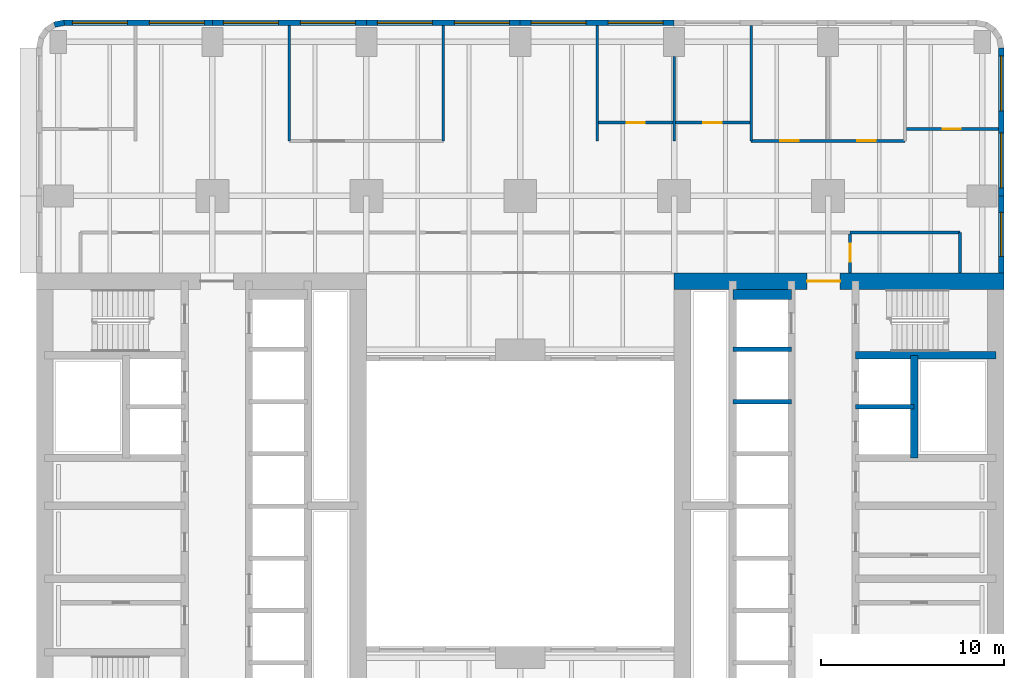
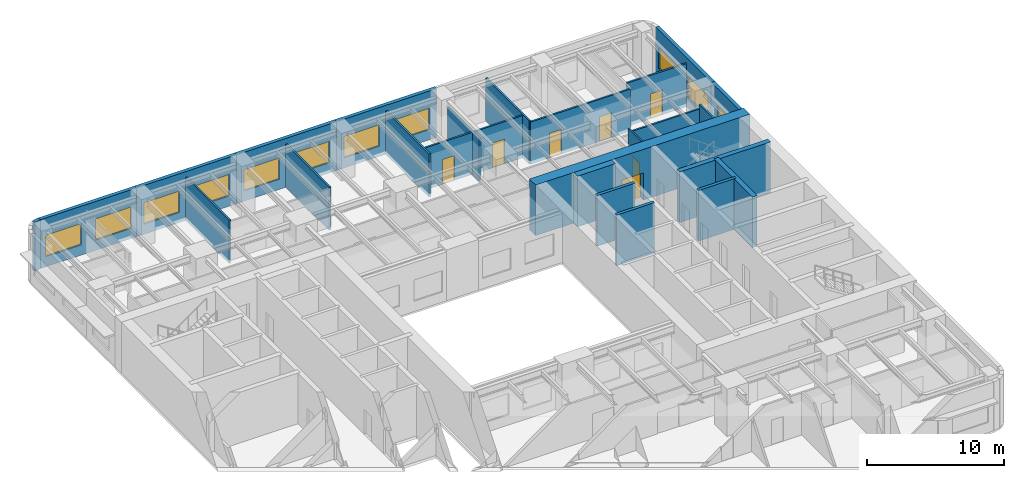
# One storey, part 7 of 14: 26 walls, 11 windows, 7 doors, 18 openings.
"""IFC4 building model written with IfcOpenShell, lengths in metres."""

from ifc_helpers import new_model, si_unit, direction, frame, frame_2d, origin, place, context, subcontext, project, spatial, rectangle, extrude, material, layer, layer_set, type_object, element, fill, save


model = new_model("IFC4")

# Units and contexts
model_context = context("Model", 3, precision=1e-05, world=origin(), true_north=direction((0.0, 1.0)))
body_context = subcontext(model_context, "Body", "Model", "MODEL_VIEW")
ifc_project = project(units=[si_unit("LENGTHUNIT", "METRE"), si_unit("AREAUNIT", "SQUARE_METRE"), si_unit("VOLUMEUNIT", "CUBIC_METRE"), si_unit("PLANEANGLEUNIT", "RADIAN"), si_unit("MASSUNIT", "GRAM", prefix="KILO")], contexts=[model_context])

# Site, building, storey
site_placement = place(None, origin())
site = spatial("IfcSite", under=ifc_project, at=site_placement, CompositionType="ELEMENT")
building_placement = place(site_placement, origin())
building = spatial("IfcBuilding", under=site, at=building_placement, Name="Claustro Exchange Tower", CompositionType="ELEMENT")
storey_placement = place(building_placement, frame((0.0, 0.0, 36.89990234375)))
storey = spatial("IfcBuildingStorey", under=building, at=storey_placement, Name="L08", CompositionType="ELEMENT", Elevation=36.89990234375)

# Walls
ifc_material_1 = material(Name="Gypsum board on steel studs", Category="steel")
ifc_layer_1 = layer(ifc_material_1, 0.14990234375)
ifc_layer_set_1 = layer_set([ifc_layer_1], Name="Gypsum board on steel studs")
wall_type_1 = type_object("IfcWallType", Name="P1 150 plasterboard partition", PredefinedType="PARTITIONING", material=ifc_layer_set_1)
for number, where, z_axis, x_axis, name in (
    (1, (12.60009765625, 45.0, 0.0), (0.0, 0.0, 1.0), (0.0, 1.0, 0.0), "Partition P1 L08"),
    (2, (21.0, 45.0, 0.0), (0.0, 0.0, 1.0), (0.0, 1.0, 0.0), "Partition P1 L08"),
):
    element("IfcWall", number, at=place(storey_placement, frame(where, z_axis=z_axis, x_axis=x_axis)), inside=storey, type_object=wall_type_1, Name=name, PredefinedType="PARTITIONING", context=body_context, shape_type="SweptSolid", body=[
        extrude(rectangle(XDim=6.302001953125, YDim=0.14990234375, at=frame_2d((3.15087890625, 0.0))), origin(), (0.0, 0.0, 1.0), 3.840087890625),
    ])

# Wall, opening, door
wall_1_placement = place(storey_placement, frame((29.47412109375, 46.0, 0.0), z_axis=(0.0, 0.0, 1.0), x_axis=(1.0, 0.0, 0.0)))
wall_1 = element("IfcWall", 3, at=wall_1_placement, inside=storey, type_object=wall_type_1, Name="Partition P1 L08", PredefinedType="PARTITIONING", context=body_context, shape_type="SweptSolid", body=[
    extrude(rectangle(XDim=4.0517578125, YDim=0.14990234375, at=frame_2d((2.02587890625, 0.0))), origin(), (0.0, 0.0, 1.0), 3.739990234375),
])
opening_1_placement = place(wall_1_placement, frame((1.52587890625, 0.0, 0.0)))
opening_1 = element("IfcOpeningElement", 4, at=opening_1_placement, cuts=wall_1, Name="Opening D1", PredefinedType="OPENING", context=body_context, shape_type="SweptSolid", body=[
    extrude(rectangle(XDim=1.0, YDim=2.199951171875, at=frame_2d((0.5, 1.10009765625))), frame((0.0, 0.0849609375, 0.0), z_axis=(0.0, -1.0, 0.0), x_axis=(1.0, 0.0, 0.0)), (0.0, 0.0, 1.0), 0.169921875),
])
ifc_material_2 = material(Name="Timber door, oak veneer", Category="wood")
door_type_1 = type_object("IfcDoorType", Name="D1 1000 x 2200 single door", OperationType="SINGLE_SWING_LEFT", PredefinedType="DOOR", material=ifc_material_2)
door_1_placement = place(opening_1_placement, origin())
door_1 = element("IfcDoor", 5, at=door_1_placement, inside=storey, type_object=door_type_1, Name="Door D1 L08", OperationType="SINGLE_SWING_RIGHT", OverallHeight=2.199951171875, OverallWidth=1.0, PredefinedType="DOOR", context=body_context, shape_type="SweptSolid", body=[
    extrude(rectangle(XDim=1.0, YDim=2.199951171875, at=frame_2d((0.5, 1.10009765625))), frame((0.0, 0.02490234375, 0.0), z_axis=(0.0, -1.0, 0.0), x_axis=(1.0, 0.0, 0.0)), (0.0, 0.0, 1.0), 0.050048828125),
])
fill(opening_1, door_1)

wall_2_placement = place(storey_placement, frame((33.674072265625, 46.0, 0.0), z_axis=(0.0, 0.0, 1.0), x_axis=(1.0, 0.0, 0.0)))
wall_2 = element("IfcWall", 6, at=wall_2_placement, inside=storey, type_object=wall_type_1, Name="Partition P1 L08", PredefinedType="PARTITIONING", context=body_context, shape_type="SweptSolid", body=[
    extrude(rectangle(XDim=4.052001953125, YDim=0.14990234375, at=frame_2d((2.02587890625, 0.0))), origin(), (0.0, 0.0, 1.0), 3.739990234375),
])
opening_2_placement = place(wall_2_placement, frame((1.52587890625, 0.0, 0.0)))
opening_2 = element("IfcOpeningElement", 7, at=opening_2_placement, cuts=wall_2, Name="Opening D1", PredefinedType="OPENING", context=body_context, shape_type="SweptSolid", body=[
    extrude(rectangle(XDim=1.0, YDim=2.199951171875, at=frame_2d((0.5, 1.10009765625))), frame((0.0, 0.0849609375, 0.0), z_axis=(0.0, -1.0, 0.0), x_axis=(1.0, 0.0, 0.0)), (0.0, 0.0, 1.0), 0.169921875),
])
door_2_placement = place(opening_2_placement, origin())
door_2 = element("IfcDoor", 8, at=door_2_placement, inside=storey, type_object=door_type_1, Name="Door D1 L08", OperationType="SINGLE_SWING_RIGHT", OverallHeight=2.199951171875, OverallWidth=1.0, PredefinedType="DOOR", context=body_context, shape_type="SweptSolid", body=[
    extrude(rectangle(XDim=1.0, YDim=2.199951171875, at=frame_2d((0.5, 1.10009765625))), frame((0.0, 0.02490234375, 0.0), z_axis=(0.0, -1.0, 0.0), x_axis=(1.0, 0.0, 0.0)), (0.0, 0.0, 1.0), 0.050048828125),
])
fill(opening_2, door_2)

wall_3_placement = place(storey_placement, frame((46.27392578125, 45.64990234375, 0.0), z_axis=(0.0, 0.0, 1.0), x_axis=(1.0, 0.0, 0.0)))
wall_3 = element("IfcWall", 9, at=wall_3_placement, inside=storey, type_object=wall_type_1, Name="Partition P1 L08", PredefinedType="PARTITIONING", context=body_context, shape_type="SweptSolid", body=[
    extrude(rectangle(XDim=5.028076171875, YDim=0.14990234375, at=frame_2d((2.51416015625, 0.0))), origin(), (0.0, 0.0, 1.0), 3.840087890625),
])
opening_3_placement = place(wall_3_placement, frame((1.97607421875, 0.0, 0.0)))
opening_3 = element("IfcOpeningElement", 10, at=opening_3_placement, cuts=wall_3, Name="Opening D1", PredefinedType="OPENING", context=body_context, shape_type="SweptSolid", body=[
    extrude(rectangle(XDim=1.0, YDim=2.199951171875, at=frame_2d((0.5, 1.10009765625))), frame((0.0, 0.0849609375, 0.0), z_axis=(0.0, -1.0, 0.0), x_axis=(1.0, 0.0, 0.0)), (0.0, 0.0, 1.0), 0.169921875),
])
door_3_placement = place(opening_3_placement, origin())
door_3 = element("IfcDoor", 11, at=door_3_placement, inside=storey, type_object=door_type_1, Name="Door D1 L08", OperationType="SINGLE_SWING_LEFT", OverallHeight=2.199951171875, OverallWidth=1.0, PredefinedType="DOOR", context=body_context, shape_type="SweptSolid", body=[
    extrude(rectangle(XDim=1.0, YDim=2.199951171875, at=frame_2d((0.5, 1.10009765625))), frame((0.0, 0.02490234375, 0.0), z_axis=(0.0, -1.0, 0.0), x_axis=(1.0, 0.0, 0.0)), (0.0, 0.0, 1.0), 0.050048828125),
])
fill(opening_3, door_3)

# Wall, openings, doors
wall_4_placement = place(storey_placement, frame((37.800048828125, 45.0, 0.0), z_axis=(0.0, 0.0, 1.0), x_axis=(1.0, 0.0, 0.0)))
wall_4 = element("IfcWall", 12, at=wall_4_placement, inside=storey, type_object=wall_type_1, Name="Partition P1 L08", PredefinedType="PARTITIONING", context=body_context, shape_type="SweptSolid", body=[
    extrude(rectangle(XDim=8.39990234375, YDim=0.14990234375, at=frame_2d((4.199951171875, 0.0))), origin(), (0.0, 0.0, 1.0), 3.739990234375),
])
opening_4_placement = place(wall_4_placement, frame((1.60009765625, 0.0, 0.0)))
opening_4 = element("IfcOpeningElement", 13, at=opening_4_placement, cuts=wall_4, Name="Opening D1", PredefinedType="OPENING", context=body_context, shape_type="SweptSolid", body=[
    extrude(rectangle(XDim=1.0, YDim=2.199951171875, at=frame_2d((0.5, 1.10009765625))), frame((0.0, 0.0849609375, 0.0), z_axis=(0.0, -1.0, 0.0), x_axis=(1.0, 0.0, 0.0)), (0.0, 0.0, 1.0), 0.169921875),
])
opening_5_placement = place(wall_4_placement, frame((5.800048828125, 0.0, 0.0)))
opening_5 = element("IfcOpeningElement", 14, at=opening_5_placement, cuts=wall_4, Name="Opening D1", PredefinedType="OPENING", context=body_context, shape_type="SweptSolid", body=[
    extrude(rectangle(XDim=1.0, YDim=2.199951171875, at=frame_2d((0.5, 1.10009765625))), frame((0.0, 0.0849609375, 0.0), z_axis=(0.0, -1.0, 0.0), x_axis=(1.0, 0.0, 0.0)), (0.0, 0.0, 1.0), 0.169921875),
])
door_4_placement = place(opening_4_placement, origin())
door_4 = element("IfcDoor", 15, at=door_4_placement, inside=storey, type_object=door_type_1, Name="Door D1 L08", OperationType="SINGLE_SWING_LEFT", OverallHeight=2.199951171875, OverallWidth=1.0, PredefinedType="DOOR", context=body_context, shape_type="SweptSolid", body=[
    extrude(rectangle(XDim=1.0, YDim=2.199951171875, at=frame_2d((0.5, 1.10009765625))), frame((0.0, 0.02490234375, 0.0), z_axis=(0.0, -1.0, 0.0), x_axis=(1.0, 0.0, 0.0)), (0.0, 0.0, 1.0), 0.050048828125),
])
fill(opening_4, door_4)
door_5_placement = place(opening_5_placement, origin())
door_5 = element("IfcDoor", 16, at=door_5_placement, inside=storey, type_object=door_type_1, Name="Door D1 L08", OperationType="SINGLE_SWING_LEFT", OverallHeight=2.199951171875, OverallWidth=1.0, PredefinedType="DOOR", context=body_context, shape_type="SweptSolid", body=[
    extrude(rectangle(XDim=1.0, YDim=2.199951171875, at=frame_2d((0.5, 1.10009765625))), frame((0.0, 0.02490234375, 0.0), z_axis=(0.0, -1.0, 0.0), x_axis=(1.0, 0.0, 0.0)), (0.0, 0.0, 1.0), 0.050048828125),
])
fill(opening_5, door_5)

# Walls
wall_5_placement = place(storey_placement, frame((29.39990234375, 45.0, 0.0), z_axis=(0.0, 0.0, 1.0), x_axis=(0.0, 1.0, 0.0)))
element("IfcWall", 17, at=wall_5_placement, inside=storey, type_object=wall_type_1, Name="Partition P1 L08", PredefinedType="PARTITIONING", context=body_context, shape_type="SweptSolid", body=[
    extrude(rectangle(XDim=6.302001953125, YDim=0.14990234375, at=frame_2d((3.15087890625, 0.0))), origin(), (0.0, 0.0, 1.0), 3.840087890625),
])
wall_6_placement = place(storey_placement, frame((33.60009765625, 45.0, 0.0), z_axis=(0.0, 0.0, 1.0), x_axis=(0.0, 1.0, 0.0)))
element("IfcWall", 18, at=wall_6_placement, inside=storey, type_object=wall_type_1, Name="Partition P1 L08", PredefinedType="PARTITIONING", context=body_context, shape_type="SweptSolid", body=[
    extrude(rectangle(XDim=4.60107421875, YDim=0.14990234375, at=frame_2d((2.300537109375, 0.0))), origin(), (0.0, 0.0, 1.0), 3.739990234375),
])
wall_7_placement = place(storey_placement, frame((37.800048828125, 45.0, 0.0), z_axis=(0.0, 0.0, 1.0), x_axis=(0.0, 1.0, 0.0)))
element("IfcWall", 19, at=wall_7_placement, inside=storey, type_object=wall_type_1, Name="Partition P1 L08", PredefinedType="PARTITIONING", context=body_context, shape_type="SweptSolid", body=[
    extrude(rectangle(XDim=6.302001953125, YDim=0.14990234375, at=frame_2d((3.15087890625, 0.0))), origin(), (0.0, 0.0, 1.0), 3.840087890625),
])

# Wall, opening, door
wall_8_placement = place(storey_placement, frame((43.199951171875, 37.800048828125, 0.0), z_axis=(0.0, 0.0, 1.0), x_axis=(0.0, 1.0, 0.0)))
wall_8 = element("IfcWall", 20, at=wall_8_placement, inside=storey, type_object=wall_type_1, Name="Partition P1 L08", PredefinedType="PARTITIONING", context=body_context, shape_type="SweptSolid", body=[
    extrude(rectangle(XDim=2.1259765625, YDim=0.14990234375, at=frame_2d((1.06298828125, 0.0))), origin(), (0.0, 0.0, 1.0), 4.340087890625),
])
opening_6_placement = place(wall_8_placement, frame((0.60009765625, 0.0, 0.0)))
opening_6 = element("IfcOpeningElement", 21, at=opening_6_placement, cuts=wall_8, Name="Opening D1", PredefinedType="OPENING", context=body_context, shape_type="SweptSolid", body=[
    extrude(rectangle(XDim=1.0, YDim=2.199951171875, at=frame_2d((0.5, 1.10009765625))), frame((0.0, 0.0849609375, 0.0), z_axis=(0.0, -1.0, 0.0), x_axis=(1.0, 0.0, 0.0)), (0.0, 0.0, 1.0), 0.169921875),
])
door_6_placement = place(opening_6_placement, frame((1.0, 0.0, 0.0), z_axis=(0.0, 0.0, 1.0), x_axis=(-1.0, 0.0, 0.0)))
door_6 = element("IfcDoor", 22, at=door_6_placement, inside=storey, type_object=door_type_1, Name="Door D1 L08", OperationType="SINGLE_SWING_RIGHT", OverallHeight=2.199951171875, OverallWidth=1.0, PredefinedType="DOOR", context=body_context, shape_type="SweptSolid", body=[
    extrude(rectangle(XDim=1.0, YDim=2.199951171875, at=frame_2d((0.5, 1.10009765625))), frame((0.0, 0.02490234375, 0.0), z_axis=(0.0, -1.0, 0.0), x_axis=(1.0, 0.0, 0.0)), (0.0, 0.0, 1.0), 0.050048828125),
])
fill(opening_6, door_6)

# Walls
wall_9_placement = place(storey_placement, frame((43.197998046875, 40.0, 0.0), z_axis=(0.0, 0.0, 1.0), x_axis=(1.0, 0.0, 0.0)))
element("IfcWall", 23, at=wall_9_placement, inside=storey, type_object=wall_type_1, Name="Partition P1 L08", PredefinedType="PARTITIONING", context=body_context, shape_type="SweptSolid", body=[
    extrude(rectangle(XDim=6.001953125, YDim=0.14990234375, at=frame_2d((3.0009765625, 0.0))), origin(), (0.0, 0.0, 1.0), 3.97998046875),
])
wall_10_placement = place(storey_placement, frame((49.199951171875, 37.800048828125, 0.0), z_axis=(0.0, 0.0, 1.0), x_axis=(0.0, 1.0, 0.0)))
element("IfcWall", 24, at=wall_10_placement, inside=storey, type_object=wall_type_1, Name="Partition P1 L08", PredefinedType="PARTITIONING", context=body_context, shape_type="SweptSolid", body=[
    extrude(rectangle(XDim=2.199951171875, YDim=0.14990234375, at=frame_2d((1.10009765625, 0.0))), origin(), (0.0, 0.0, 1.0), 4.340087890625),
])
ifc_material_3 = material(Name="Concrete HA-40 (C40/50), precast, white cement, acid-etched", Category="concrete")
ifc_layer_2 = layer(ifc_material_3, 0.300048828125)
ifc_layer_set_2 = layer_set([ifc_layer_2], Name="Concrete HA-40 (C40/50), precast, white cement, acid-etched")
wall_type_2 = type_object("IfcWallType", Name="PC1 300 precast concrete pier panel", PredefinedType="SOLIDWALL", material=ifc_layer_set_2)
wall_11_placement = place(storey_placement, frame((-0.215576171875, 51.344482421875, 0.0), z_axis=(0.0, 0.0, 1.0), x_axis=(0.980788534345, 0.195073962632, 0.0)))
element("IfcWall", 25, at=wall_11_placement, inside=storey, type_object=wall_type_2, Name="Precast pier panel PC1 L08", PredefinedType="SOLIDWALL", context=body_context, shape_type="SweptSolid", body=[
    extrude(rectangle(XDim=0.540771484375, YDim=0.300048828125, at=frame_2d((0.2705078125, 0.0))), origin(), (0.0, 0.0, 1.0), 4.340087890625),
])

# Wall, openings, windows
wall_12_placement = place(storey_placement, frame((0.314697265625, 51.449951171875, 0.0), z_axis=(0.0, 0.0, 1.0), x_axis=(1.0, 0.0, 0.0)))
wall_12 = element("IfcWall", 26, at=wall_12_placement, inside=storey, type_object=wall_type_2, Name="Precast pier panel PC1 L08", PredefinedType="SOLIDWALL", context=body_context, shape_type="SweptSolid", body=[
    extrude(rectangle(XDim=8.085205078125, YDim=0.300048828125, at=frame_2d((4.04248046875, 0.0))), origin(), (0.0, 0.0, 1.0), 4.340087890625),
])
opening_7_placement = place(wall_12_placement, frame((0.442626953125, 0.0, 0.89990234375)))
opening_7 = element("IfcOpeningElement", 27, at=opening_7_placement, cuts=wall_12, Name="Opening W1", PredefinedType="OPENING", context=body_context, shape_type="SweptSolid", body=[
    extrude(rectangle(XDim=3.0, YDim=1.89990234375, at=frame_2d((1.5, 0.949951171875))), frame((0.0, 0.159912109375, 0.0), z_axis=(0.0, -1.0, 0.0), x_axis=(1.0, 0.0, 0.0)), (0.0, 0.0, 1.0), 0.320068359375),
])
opening_8_placement = place(wall_12_placement, frame((4.642578125, 0.0, 0.89990234375)))
opening_8 = element("IfcOpeningElement", 28, at=opening_8_placement, cuts=wall_12, Name="Opening W1", PredefinedType="OPENING", context=body_context, shape_type="SweptSolid", body=[
    extrude(rectangle(XDim=3.0, YDim=1.89990234375, at=frame_2d((1.5, 0.949951171875))), frame((0.0, 0.159912109375, 0.0), z_axis=(0.0, -1.0, 0.0), x_axis=(1.0, 0.0, 0.0)), (0.0, 0.0, 1.0), 0.320068359375),
])
ifc_material_4 = material(Name="Aluminium frame, clear double glazing", Category="aluminium")
window_type_1 = type_object("IfcWindowType", Name="W1 3000 x 1900 window", PartitioningType="SINGLE_PANEL", PredefinedType="WINDOW", material=ifc_material_4)
window_1_placement = place(opening_7_placement, origin())
window_1 = element("IfcWindow", 29, at=window_1_placement, inside=storey, type_object=window_type_1, Name="Window W1 L08", OverallHeight=1.89990234375, OverallWidth=3.0, PartitioningType="SINGLE_PANEL", PredefinedType="WINDOW", context=body_context, shape_type="SweptSolid", body=[
    extrude(rectangle(XDim=3.0, YDim=1.89990234375, at=frame_2d((1.5, 0.949951171875))), frame((0.0, 0.030029296875, 0.0), z_axis=(0.0, -1.0, 0.0), x_axis=(1.0, 0.0, 0.0)), (0.0, 0.0, 1.0), 0.06005859375),
])
fill(opening_7, window_1)
window_2_placement = place(opening_8_placement, origin())
window_2 = element("IfcWindow", 30, at=window_2_placement, inside=storey, type_object=window_type_1, Name="Window W1 L08", OverallHeight=1.89990234375, OverallWidth=3.0, PartitioningType="SINGLE_PANEL", PredefinedType="WINDOW", context=body_context, shape_type="SweptSolid", body=[
    extrude(rectangle(XDim=3.0, YDim=1.89990234375, at=frame_2d((1.5, 0.949951171875))), frame((0.0, 0.030029296875, 0.0), z_axis=(0.0, -1.0, 0.0), x_axis=(1.0, 0.0, 0.0)), (0.0, 0.0, 1.0), 0.06005859375),
])
fill(opening_8, window_2)

wall_13_placement = place(storey_placement, frame((8.39990234375, 51.449951171875, 0.0), z_axis=(0.0, 0.0, 1.0), x_axis=(1.0, 0.0, 0.0)))
wall_13 = element("IfcWall", 31, at=wall_13_placement, inside=storey, type_object=wall_type_2, Name="Precast pier panel PC1 L08", PredefinedType="SOLIDWALL", context=body_context, shape_type="SweptSolid", body=[
    extrude(rectangle(XDim=8.400146484375, YDim=0.300048828125, at=frame_2d((4.2001953125, 0.0))), origin(), (0.0, 0.0, 1.0), 4.340087890625),
])
opening_9_placement = place(wall_13_placement, frame((0.60009765625, 0.0, 0.89990234375)))
opening_9 = element("IfcOpeningElement", 32, at=opening_9_placement, cuts=wall_13, Name="Opening W1", PredefinedType="OPENING", context=body_context, shape_type="SweptSolid", body=[
    extrude(rectangle(XDim=3.0, YDim=1.89990234375, at=frame_2d((1.5, 0.949951171875))), frame((0.0, 0.159912109375, 0.0), z_axis=(0.0, -1.0, 0.0), x_axis=(1.0, 0.0, 0.0)), (0.0, 0.0, 1.0), 0.320068359375),
])
opening_10_placement = place(wall_13_placement, frame((4.800048828125, 0.0, 0.89990234375)))
opening_10 = element("IfcOpeningElement", 33, at=opening_10_placement, cuts=wall_13, Name="Opening W1", PredefinedType="OPENING", context=body_context, shape_type="SweptSolid", body=[
    extrude(rectangle(XDim=3.0, YDim=1.89990234375, at=frame_2d((1.5, 0.949951171875))), frame((0.0, 0.159912109375, 0.0), z_axis=(0.0, -1.0, 0.0), x_axis=(1.0, 0.0, 0.0)), (0.0, 0.0, 1.0), 0.320068359375),
])
window_3_placement = place(opening_9_placement, origin())
window_3 = element("IfcWindow", 34, at=window_3_placement, inside=storey, type_object=window_type_1, Name="Window W1 L08", OverallHeight=1.89990234375, OverallWidth=3.0, PartitioningType="SINGLE_PANEL", PredefinedType="WINDOW", context=body_context, shape_type="SweptSolid", body=[
    extrude(rectangle(XDim=3.0, YDim=1.89990234375, at=frame_2d((1.5, 0.949951171875))), frame((0.0, 0.030029296875, 0.0), z_axis=(0.0, -1.0, 0.0), x_axis=(1.0, 0.0, 0.0)), (0.0, 0.0, 1.0), 0.06005859375),
])
fill(opening_9, window_3)
window_4_placement = place(opening_10_placement, origin())
window_4 = element("IfcWindow", 35, at=window_4_placement, inside=storey, type_object=window_type_1, Name="Window W1 L08", OverallHeight=1.89990234375, OverallWidth=3.0, PartitioningType="SINGLE_PANEL", PredefinedType="WINDOW", context=body_context, shape_type="SweptSolid", body=[
    extrude(rectangle(XDim=3.0, YDim=1.89990234375, at=frame_2d((1.5, 0.949951171875))), frame((0.0, 0.030029296875, 0.0), z_axis=(0.0, -1.0, 0.0), x_axis=(1.0, 0.0, 0.0)), (0.0, 0.0, 1.0), 0.06005859375),
])
fill(opening_10, window_4)

wall_14_placement = place(storey_placement, frame((16.800048828125, 51.449951171875, 0.0), z_axis=(0.0, 0.0, 1.0), x_axis=(1.0, 0.0, 0.0)))
wall_14 = element("IfcWall", 36, at=wall_14_placement, inside=storey, type_object=wall_type_2, Name="Precast pier panel PC1 L08", PredefinedType="SOLIDWALL", context=body_context, shape_type="SweptSolid", body=[
    extrude(rectangle(XDim=8.39990234375, YDim=0.300048828125, at=frame_2d((4.199951171875, 0.0))), origin(), (0.0, 0.0, 1.0), 4.340087890625),
])
opening_11_placement = place(wall_14_placement, frame((0.60009765625, 0.0, 0.89990234375)))
opening_11 = element("IfcOpeningElement", 37, at=opening_11_placement, cuts=wall_14, Name="Opening W1", PredefinedType="OPENING", context=body_context, shape_type="SweptSolid", body=[
    extrude(rectangle(XDim=3.0, YDim=1.89990234375, at=frame_2d((1.5, 0.949951171875))), frame((0.0, 0.159912109375, 0.0), z_axis=(0.0, -1.0, 0.0), x_axis=(1.0, 0.0, 0.0)), (0.0, 0.0, 1.0), 0.320068359375),
])
opening_12_placement = place(wall_14_placement, frame((4.800048828125, 0.0, 0.89990234375)))
opening_12 = element("IfcOpeningElement", 38, at=opening_12_placement, cuts=wall_14, Name="Opening W1", PredefinedType="OPENING", context=body_context, shape_type="SweptSolid", body=[
    extrude(rectangle(XDim=3.0, YDim=1.89990234375, at=frame_2d((1.5, 0.949951171875))), frame((0.0, 0.159912109375, 0.0), z_axis=(0.0, -1.0, 0.0), x_axis=(1.0, 0.0, 0.0)), (0.0, 0.0, 1.0), 0.320068359375),
])
window_5_placement = place(opening_11_placement, origin())
window_5 = element("IfcWindow", 39, at=window_5_placement, inside=storey, type_object=window_type_1, Name="Window W1 L08", OverallHeight=1.89990234375, OverallWidth=3.0, PartitioningType="SINGLE_PANEL", PredefinedType="WINDOW", context=body_context, shape_type="SweptSolid", body=[
    extrude(rectangle(XDim=3.0, YDim=1.89990234375, at=frame_2d((1.5, 0.949951171875))), frame((0.0, 0.030029296875, 0.0), z_axis=(0.0, -1.0, 0.0), x_axis=(1.0, 0.0, 0.0)), (0.0, 0.0, 1.0), 0.06005859375),
])
fill(opening_11, window_5)
window_6_placement = place(opening_12_placement, origin())
window_6 = element("IfcWindow", 40, at=window_6_placement, inside=storey, type_object=window_type_1, Name="Window W1 L08", OverallHeight=1.89990234375, OverallWidth=3.0, PartitioningType="SINGLE_PANEL", PredefinedType="WINDOW", context=body_context, shape_type="SweptSolid", body=[
    extrude(rectangle(XDim=3.0, YDim=1.89990234375, at=frame_2d((1.5, 0.949951171875))), frame((0.0, 0.030029296875, 0.0), z_axis=(0.0, -1.0, 0.0), x_axis=(1.0, 0.0, 0.0)), (0.0, 0.0, 1.0), 0.06005859375),
])
fill(opening_12, window_6)

wall_15_placement = place(storey_placement, frame((25.199951171875, 51.449951171875, 0.0), z_axis=(0.0, 0.0, 1.0), x_axis=(1.0, 0.0, 0.0)))
wall_15 = element("IfcWall", 41, at=wall_15_placement, inside=storey, type_object=wall_type_2, Name="Precast pier panel PC1 L08", PredefinedType="SOLIDWALL", context=body_context, shape_type="SweptSolid", body=[
    extrude(rectangle(XDim=8.400146484375, YDim=0.300048828125, at=frame_2d((4.2001953125, 0.0))), origin(), (0.0, 0.0, 1.0), 4.340087890625),
])
opening_13_placement = place(wall_15_placement, frame((0.60009765625, 0.0, 0.89990234375)))
opening_13 = element("IfcOpeningElement", 42, at=opening_13_placement, cuts=wall_15, Name="Opening W1", PredefinedType="OPENING", context=body_context, shape_type="SweptSolid", body=[
    extrude(rectangle(XDim=3.0, YDim=1.89990234375, at=frame_2d((1.5, 0.949951171875))), frame((0.0, 0.159912109375, 0.0), z_axis=(0.0, -1.0, 0.0), x_axis=(1.0, 0.0, 0.0)), (0.0, 0.0, 1.0), 0.320068359375),
])
opening_14_placement = place(wall_15_placement, frame((4.800048828125, 0.0, 0.89990234375)))
opening_14 = element("IfcOpeningElement", 43, at=opening_14_placement, cuts=wall_15, Name="Opening W1", PredefinedType="OPENING", context=body_context, shape_type="SweptSolid", body=[
    extrude(rectangle(XDim=3.0, YDim=1.89990234375, at=frame_2d((1.5, 0.949951171875))), frame((0.0, 0.159912109375, 0.0), z_axis=(0.0, -1.0, 0.0), x_axis=(1.0, 0.0, 0.0)), (0.0, 0.0, 1.0), 0.320068359375),
])
window_7_placement = place(opening_13_placement, origin())
window_7 = element("IfcWindow", 44, at=window_7_placement, inside=storey, type_object=window_type_1, Name="Window W1 L08", OverallHeight=1.89990234375, OverallWidth=3.0, PartitioningType="SINGLE_PANEL", PredefinedType="WINDOW", context=body_context, shape_type="SweptSolid", body=[
    extrude(rectangle(XDim=3.0, YDim=1.89990234375, at=frame_2d((1.5, 0.949951171875))), frame((0.0, 0.030029296875, 0.0), z_axis=(0.0, -1.0, 0.0), x_axis=(1.0, 0.0, 0.0)), (0.0, 0.0, 1.0), 0.06005859375),
])
fill(opening_13, window_7)
window_8_placement = place(opening_14_placement, origin())
window_8 = element("IfcWindow", 45, at=window_8_placement, inside=storey, type_object=window_type_1, Name="Window W1 L08", OverallHeight=1.89990234375, OverallWidth=3.0, PartitioningType="SINGLE_PANEL", PredefinedType="WINDOW", context=body_context, shape_type="SweptSolid", body=[
    extrude(rectangle(XDim=3.0, YDim=1.89990234375, at=frame_2d((1.5, 0.949951171875))), frame((0.0, 0.030029296875, 0.0), z_axis=(0.0, -1.0, 0.0), x_axis=(1.0, 0.0, 0.0)), (0.0, 0.0, 1.0), 0.06005859375),
])
fill(opening_14, window_8)

wall_16_placement = place(storey_placement, frame((51.449951171875, 50.085205078125, 0.0), z_axis=(0.0, 0.0, 1.0), x_axis=(0.0, -1.0, 0.0)))
wall_16 = element("IfcWall", 46, at=wall_16_placement, inside=storey, type_object=wall_type_2, Name="Precast pier panel PC1 L08", PredefinedType="SOLIDWALL", context=body_context, shape_type="SweptSolid", body=[
    extrude(rectangle(XDim=8.085205078125, YDim=0.300048828125, at=frame_2d((4.04248046875, 0.0))), origin(), (0.0, 0.0, 1.0), 4.340087890625),
])
opening_15_placement = place(wall_16_placement, frame((0.442626953125, 0.0, 0.89990234375)))
opening_15 = element("IfcOpeningElement", 47, at=opening_15_placement, cuts=wall_16, Name="Opening W1", PredefinedType="OPENING", context=body_context, shape_type="SweptSolid", body=[
    extrude(rectangle(XDim=3.0, YDim=1.89990234375, at=frame_2d((1.5, 0.949951171875))), frame((0.0, 0.159912109375, 0.0), z_axis=(0.0, -1.0, 0.0), x_axis=(1.0, 0.0, 0.0)), (0.0, 0.0, 1.0), 0.320068359375),
])
opening_16_placement = place(wall_16_placement, frame((4.642578125, 0.0, 0.89990234375)))
opening_16 = element("IfcOpeningElement", 48, at=opening_16_placement, cuts=wall_16, Name="Opening W1", PredefinedType="OPENING", context=body_context, shape_type="SweptSolid", body=[
    extrude(rectangle(XDim=3.0, YDim=1.89990234375, at=frame_2d((1.5, 0.949951171875))), frame((0.0, 0.159912109375, 0.0), z_axis=(0.0, -1.0, 0.0), x_axis=(1.0, 0.0, 0.0)), (0.0, 0.0, 1.0), 0.320068359375),
])
window_9_placement = place(opening_15_placement, origin())
window_9 = element("IfcWindow", 49, at=window_9_placement, inside=storey, type_object=window_type_1, Name="Window W1 L08", OverallHeight=1.89990234375, OverallWidth=3.0, PartitioningType="SINGLE_PANEL", PredefinedType="WINDOW", context=body_context, shape_type="SweptSolid", body=[
    extrude(rectangle(XDim=3.0, YDim=1.89990234375, at=frame_2d((1.5, 0.949951171875))), frame((0.0, 0.030029296875, 0.0), z_axis=(0.0, -1.0, 0.0), x_axis=(1.0, 0.0, 0.0)), (0.0, 0.0, 1.0), 0.06005859375),
])
fill(opening_15, window_9)
window_10_placement = place(opening_16_placement, origin())
window_10 = element("IfcWindow", 50, at=window_10_placement, inside=storey, type_object=window_type_1, Name="Window W1 L08", OverallHeight=1.89990234375, OverallWidth=3.0, PartitioningType="SINGLE_PANEL", PredefinedType="WINDOW", context=body_context, shape_type="SweptSolid", body=[
    extrude(rectangle(XDim=3.0, YDim=1.89990234375, at=frame_2d((1.5, 0.949951171875))), frame((0.0, 0.030029296875, 0.0), z_axis=(0.0, -1.0, 0.0), x_axis=(1.0, 0.0, 0.0)), (0.0, 0.0, 1.0), 0.06005859375),
])
fill(opening_16, window_10)

# Wall, opening, window
wall_17_placement = place(storey_placement, frame((51.449951171875, 42.0, 0.0), z_axis=(0.0, 0.0, 1.0), x_axis=(0.0, -1.0, 0.0)))
wall_17 = element("IfcWall", 51, at=wall_17_placement, inside=storey, type_object=wall_type_2, Name="Precast pier panel PC1 L08", PredefinedType="SOLIDWALL", context=body_context, shape_type="SweptSolid", body=[
    extrude(rectangle(XDim=4.199951171875, YDim=0.300048828125, at=frame_2d((2.10009765625, 0.0))), origin(), (0.0, 0.0, 1.0), 4.340087890625),
])
opening_17_placement = place(wall_17_placement, frame((0.89990234375, 0.0, 0.89990234375)))
opening_17 = element("IfcOpeningElement", 52, at=opening_17_placement, cuts=wall_17, Name="Opening W2", PredefinedType="OPENING", context=body_context, shape_type="SweptSolid", body=[
    extrude(rectangle(XDim=2.39990234375, YDim=1.89990234375, at=frame_2d((1.199951171875, 0.949951171875))), frame((0.0, 0.159912109375, 0.0), z_axis=(0.0, -1.0, 0.0), x_axis=(1.0, 0.0, 0.0)), (0.0, 0.0, 1.0), 0.320068359375),
])
ifc_material_5 = material(Name="Aluminium frame, clear double glazing", Category="aluminium")
window_type_2 = type_object("IfcWindowType", Name="W2 2400 x 1900 window", PartitioningType="SINGLE_PANEL", PredefinedType="WINDOW", material=ifc_material_5)
window_11_placement = place(opening_17_placement, origin())
window_11 = element("IfcWindow", 53, at=window_11_placement, inside=storey, type_object=window_type_2, Name="Window W2 L08", OverallHeight=1.89990234375, OverallWidth=2.39990234375, PartitioningType="SINGLE_PANEL", PredefinedType="WINDOW", context=body_context, shape_type="SweptSolid", body=[
    extrude(rectangle(XDim=2.39990234375, YDim=1.89990234375, at=frame_2d((1.199951171875, 0.949951171875))), frame((0.0, 0.030029296875, 0.0), z_axis=(0.0, -1.0, 0.0), x_axis=(1.0, 0.0, 0.0)), (0.0, 0.0, 1.0), 0.06005859375),
])
fill(opening_17, window_11)

# Wall, opening, door
ifc_material_6 = material(Name="Concrete HA-70 (C70/85)", Category="concrete")
ifc_layer_3 = layer(ifc_material_6, 0.89990234375)
ifc_layer_set_3 = layer_set([ifc_layer_3], Name="Concrete HA-70 (C70/85)")
wall_type_3 = type_object("IfcWallType", Name="SW1 900 core shear wall", PredefinedType="SHEAR", material=ifc_layer_set_3)
wall_18_placement = place(storey_placement, frame((33.60009765625, 37.35009765625, 0.0), z_axis=(0.0, 0.0, 1.0), x_axis=(1.0, 0.0, 0.0)))
wall_18 = element("IfcWall", 54, at=wall_18_placement, inside=storey, type_object=wall_type_3, Name="Core wall SW1 E core N face L08", PredefinedType="SHEAR", context=body_context, shape_type="SweptSolid", body=[
    extrude(rectangle(XDim=18.0, YDim=0.89990234375, at=frame_2d((9.0, 0.0))), origin(), (0.0, 0.0, 1.0), 4.5),
])
opening_18_placement = place(wall_18_placement, frame((7.25, 0.0, 0.0)))
opening_18 = element("IfcOpeningElement", 55, at=opening_18_placement, cuts=wall_18, Name="Opening D3", PredefinedType="OPENING", context=body_context, shape_type="SweptSolid", body=[
    extrude(rectangle(XDim=1.800048828125, YDim=2.39990234375, at=frame_2d((0.89990234375, 1.199951171875))), frame((0.0, 0.4599609375, 0.0), z_axis=(0.0, -1.0, 0.0), x_axis=(1.0, 0.0, 0.0)), (0.0, 0.0, 1.0), 0.919921875),
])
ifc_material_7 = material(Name="Steel fire door, painted", Category="steel")
door_type_2 = type_object("IfcDoorType", Name="D3 1800 x 2400 fire-rated lobby double door", OperationType="DOUBLE_DOOR_SINGLE_SWING", PredefinedType="DOOR", material=ifc_material_7)
door_7_placement = place(opening_18_placement, frame((1.800048828125, 0.0, 0.0), z_axis=(0.0, 0.0, 1.0), x_axis=(-1.0, 0.0, 0.0)))
door_7 = element("IfcDoor", 56, at=door_7_placement, inside=storey, type_object=door_type_2, Name="Lift lobby door D3 L08", OperationType="DOUBLE_DOOR_SINGLE_SWING", OverallHeight=2.39990234375, OverallWidth=1.800048828125, PredefinedType="DOOR", context=body_context, shape_type="SweptSolid", body=[
    extrude(rectangle(XDim=1.800048828125, YDim=2.39990234375, at=frame_2d((0.89990234375, 1.199951171875))), frame((0.0, 0.02490234375, 0.0), z_axis=(0.0, -1.0, 0.0), x_axis=(1.0, 0.0, 0.0)), (0.0, 0.0, 1.0), 0.050048828125),
])
fill(opening_18, door_7)

# Walls
ifc_material_8 = material(Name="Concrete HA-50 (C50/60)", Category="concrete")
ifc_layer_4 = layer(ifc_material_8, 0.39990234375)
ifc_layer_set_4 = layer_set([ifc_layer_4], Name="Concrete HA-50 (C50/60)")
wall_type_4 = type_object("IfcWallType", Name="SW4 400 internal core wall", PredefinedType="SHEAR", material=ifc_layer_set_4)
wall_19_placement = place(storey_placement, frame((51.14990234375, 33.300048828125, 0.0), z_axis=(0.0, 0.0, 1.0), x_axis=(-1.0, 0.0, 0.0)))
element("IfcWall", 57, at=wall_19_placement, inside=storey, type_object=wall_type_4, Name="Internal core wall SW4 E core L08", PredefinedType="SHEAR", context=body_context, shape_type="SweptSolid", body=[
    extrude(rectangle(XDim=7.64990234375, YDim=0.39990234375, at=frame_2d((3.824951171875, 0.0))), origin(), (0.0, 0.0, 1.0), 4.5),
])
wall_20_placement = place(storey_placement, frame((46.699951171875, 27.699951171875, 0.0), z_axis=(0.0, 0.0, 1.0), x_axis=(0.0, 1.0, 0.0)))
element("IfcWall", 58, at=wall_20_placement, inside=storey, type_object=wall_type_4, Name="Internal core wall SW4 E core L08", PredefinedType="SHEAR", context=body_context, shape_type="SweptSolid", body=[
    extrude(rectangle(XDim=5.60009765625, YDim=0.39990234375, at=frame_2d((2.800048828125, 0.0))), origin(), (0.0, 0.0, 1.0), 4.5),
])
ifc_material_9 = material(Name="Concrete HA-50 (C50/60)", Category="concrete")
ifc_layer_5 = layer(ifc_material_9, 0.25)
ifc_layer_set_5 = layer_set([ifc_layer_5], Name="Concrete HA-50 (C50/60)")
wall_type_5 = type_object("IfcWallType", Name="SW5 250 lift shaft divider wall", PredefinedType="SHEAR", material=ifc_layer_set_5)
for number, where, z_axis, x_axis, name in (
    (59, (46.699951171875, 30.5, 0.0), (0.0, 0.0, 1.0), (-1.0, 0.0, 0.0), "Lift shaft wall E core L08"),
    (60, (40.0, 30.77490234375, 0.0), (0.0, 0.0, 1.0), (-1.0, 0.0, 0.0), "Lift shaft wall E core L08"),
    (61, (40.0, 33.625, 0.0), (0.0, 0.0, 1.0), (-1.0, 0.0, 0.0), "Lift shaft wall E core L08"),
):
    element("IfcWall", number, at=place(storey_placement, frame(where, z_axis=z_axis, x_axis=x_axis)), inside=storey, type_object=wall_type_5, Name=name, PredefinedType="SHEAR", context=body_context, shape_type="SweptSolid", body=[
        extrude(rectangle(XDim=3.199951171875, YDim=0.25, at=frame_2d((1.60009765625, 0.0))), origin(), (0.0, 0.0, 1.0), 4.5),
    ])
ifc_material_10 = material(Name="Concrete HA-50 (C50/60)", Category="concrete")
ifc_layer_6 = layer(ifc_material_10, 0.550048828125)
ifc_layer_set_6 = layer_set([ifc_layer_6], Name="Concrete HA-50 (C50/60)")
wall_type_6 = type_object("IfcWallType", Name="SW6 550 lift shaft end wall", PredefinedType="SHEAR", material=ifc_layer_set_6)
wall_21_placement = place(storey_placement, frame((40.0, 36.625, 0.0), z_axis=(0.0, 0.0, 1.0), x_axis=(-1.0, 0.0, 0.0)))
element("IfcWall", 62, at=wall_21_placement, inside=storey, type_object=wall_type_6, Name="Lift shaft wall E core L08", PredefinedType="SHEAR", context=body_context, shape_type="SweptSolid", body=[
    extrude(rectangle(XDim=3.199951171875, YDim=0.550048828125, at=frame_2d((1.60009765625, 0.0))), origin(), (0.0, 0.0, 1.0), 4.5),
])

save(model, "model.ifc")
